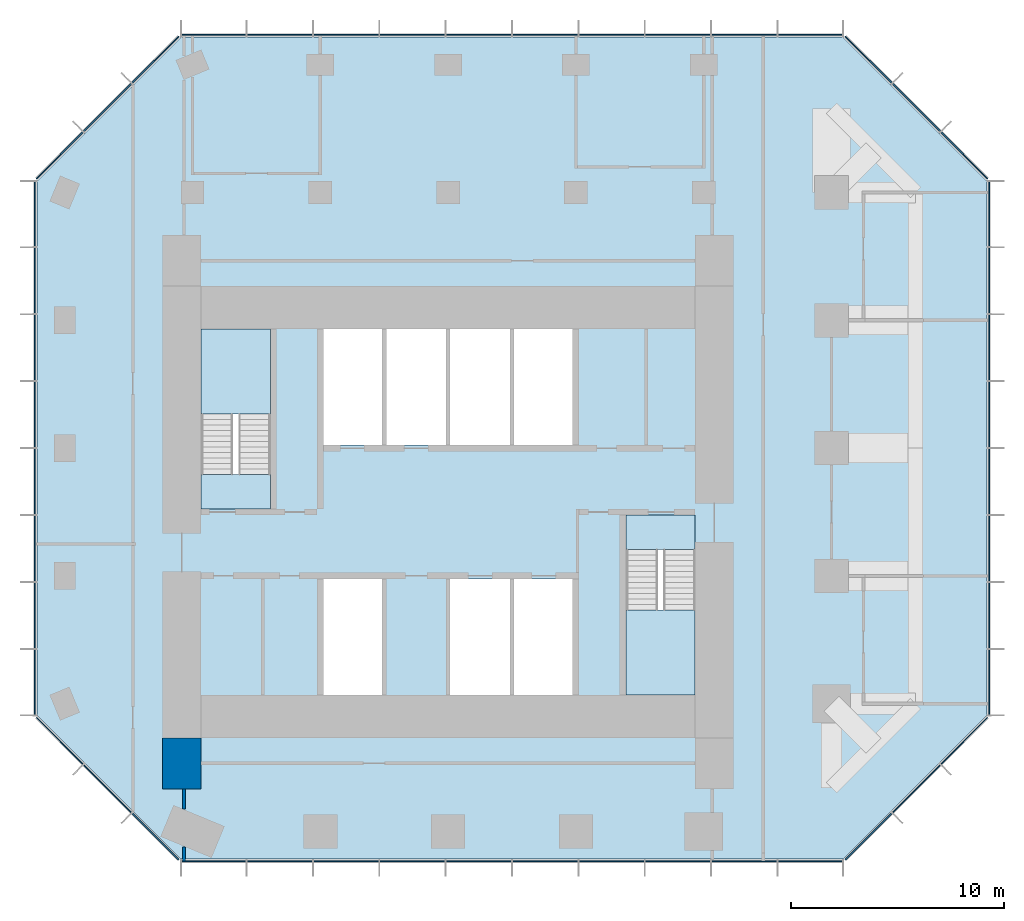
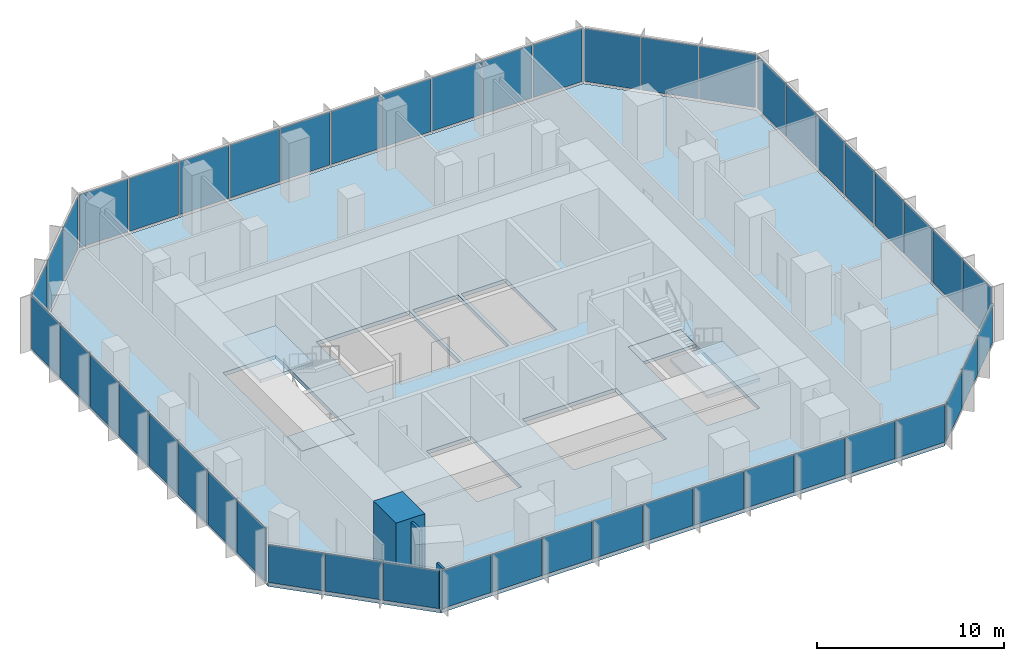
# One storey, part 7 of 10: 48 plates, 5 slabs, 3 walls, 10 elements without a shape of their own.
"""IFC4 building model written with IfcOpenShell, lengths in metres."""

from ifc_helpers import new_model, si_unit, direction, frame, frame_2d, origin, origin_2d, place, context, subcontext, project, spatial, polyline, rectangle, outline, extrude, material, layer, layer_set, type_object, element, aggregate, save


model = new_model("IFC4")

# Units and contexts
model_context = context("Model", 3, precision=1e-05, world=origin(), true_north=direction((0.0, 1.0)))
body_context = subcontext(model_context, "Body", "Model", "MODEL_VIEW")
ifc_project = project(units=[si_unit("LENGTHUNIT", "METRE"), si_unit("AREAUNIT", "SQUARE_METRE"), si_unit("VOLUMEUNIT", "CUBIC_METRE"), si_unit("PLANEANGLEUNIT", "RADIAN"), si_unit("MASSUNIT", "GRAM", prefix="KILO")], contexts=[model_context])

# Site, building, storey
site_placement = place(None, origin())
site = spatial("IfcSite", under=ifc_project, at=site_placement, CompositionType="ELEMENT")
building_placement = place(site_placement, origin())
building = spatial("IfcBuilding", under=site, at=building_placement, Name="Highveld Stack Headquarters", CompositionType="ELEMENT")
storey_placement = place(building_placement, frame((0.0, 0.0, 264.5)))
storey = spatial("IfcBuildingStorey", under=building, at=storey_placement, Name="L65", CompositionType="ELEMENT", Elevation=264.5)

# Curtain wall, plates
ifc_material_1 = material(Name="Aluminium bronze anodised", Category="aluminium")
ifc_layer_1 = layer(ifc_material_1, 0.199951171875)
ifc_layer_set_1 = layer_set([ifc_layer_1], Name="Aluminium bronze anodised")
curtain_wall_type = type_object("IfcCurtainWallType", Name="CW5 EXECUTIVE UNITISED CURTAIN WALL", PredefinedType="NOTDEFINED", material=ifc_layer_set_1)
curtain_wall_1_placement = place(storey_placement, origin())
curtain_wall_1 = element("IfcCurtainWall", 1, at=curtain_wall_1_placement, inside=storey, type_object=curtain_wall_type, Name="Curtain wall CW5 L65 S", PredefinedType="NOTDEFINED")
ifc_material_2 = material(Name="Glass bronze tinted triple glazed unit", Category="glass")
ifc_layer_2 = layer(ifc_material_2, 0.050048828125)
ifc_layer_set_2 = layer_set([ifc_layer_2], Name="Glass bronze tinted triple glazed unit")
plate_type = type_object("IfcPlateType", Name="CW5 PANEL BRONZE TINTED TRIPLE GLAZED UNIT", PredefinedType="CURTAIN_PANEL", material=ifc_layer_set_2)
plate_1_placement = place(storey_placement, frame((-5.005615234375, -13.39990234375, 0.10009765625), z_axis=(0.0, 0.0, 1.0), x_axis=(1.0, 0.0, 0.0)))
plate_1 = element("IfcPlate", 2, at=plate_1_placement, type_object=plate_type, Name="CW5 panel L65 1.1", PredefinedType="CURTAIN_PANEL", context=body_context, shape_type="SweptSolid", body=[
    extrude(rectangle(XDim=3.0185546875, YDim=0.050048828125, at=origin_2d()), origin(), (0.0, 0.0, 1.0), 2.449951171875),
])
plate_2_placement = place(storey_placement, frame((-1.906005859375, -13.39990234375, 0.10009765625), z_axis=(0.0, 0.0, 1.0), x_axis=(1.0, 0.0, 0.0)))
plate_2 = element("IfcPlate", 3, at=plate_2_placement, type_object=plate_type, Name="CW5 panel L65 2.1", PredefinedType="CURTAIN_PANEL", context=body_context, shape_type="SweptSolid", body=[
    extrude(rectangle(XDim=3.051025390625, YDim=0.050048828125, at=origin_2d()), origin(), (0.0, 0.0, 1.0), 2.449951171875),
])
plate_3_placement = place(storey_placement, frame((1.2099609375, -13.39990234375, 0.10009765625), z_axis=(0.0, 0.0, 1.0), x_axis=(1.0, 0.0, 0.0)))
plate_3 = element("IfcPlate", 4, at=plate_3_placement, type_object=plate_type, Name="CW5 panel L65 3.1", PredefinedType="CURTAIN_PANEL", context=body_context, shape_type="SweptSolid", body=[
    extrude(rectangle(XDim=3.051025390625, YDim=0.050048828125, at=origin_2d()), origin(), (0.0, 0.0, 1.0), 2.449951171875),
])
plate_4_placement = place(storey_placement, frame((4.325927734375, -13.39990234375, 0.10009765625), z_axis=(0.0, 0.0, 1.0), x_axis=(1.0, 0.0, 0.0)))
plate_4 = element("IfcPlate", 5, at=plate_4_placement, type_object=plate_type, Name="CW5 panel L65 4.1", PredefinedType="CURTAIN_PANEL", context=body_context, shape_type="SweptSolid", body=[
    extrude(rectangle(XDim=3.051025390625, YDim=0.050048828125, at=origin_2d()), origin(), (0.0, 0.0, 1.0), 2.449951171875),
])
plate_5_placement = place(storey_placement, frame((7.44189453125, -13.39990234375, 0.10009765625), z_axis=(0.0, 0.0, 1.0), x_axis=(1.0, 0.0, 0.0)))
plate_5 = element("IfcPlate", 6, at=plate_5_placement, type_object=plate_type, Name="CW5 panel L65 5.1", PredefinedType="CURTAIN_PANEL", context=body_context, shape_type="SweptSolid", body=[
    extrude(rectangle(XDim=3.051025390625, YDim=0.050048828125, at=origin_2d()), origin(), (0.0, 0.0, 1.0), 2.449951171875),
])
plate_6_placement = place(storey_placement, frame((10.55810546875, -13.39990234375, 0.10009765625), z_axis=(0.0, 0.0, 1.0), x_axis=(1.0, 0.0, 0.0)))
plate_6 = element("IfcPlate", 7, at=plate_6_placement, type_object=plate_type, Name="CW5 panel L65 6.1", PredefinedType="CURTAIN_PANEL", context=body_context, shape_type="SweptSolid", body=[
    extrude(rectangle(XDim=3.051025390625, YDim=0.050048828125, at=origin_2d()), origin(), (0.0, 0.0, 1.0), 2.449951171875),
])
plate_7_placement = place(storey_placement, frame((13.674072265625, -13.39990234375, 0.10009765625), z_axis=(0.0, 0.0, 1.0), x_axis=(1.0, 0.0, 0.0)))
plate_7 = element("IfcPlate", 8, at=plate_7_placement, type_object=plate_type, Name="CW5 panel L65 7.1", PredefinedType="CURTAIN_PANEL", context=body_context, shape_type="SweptSolid", body=[
    extrude(rectangle(XDim=3.051025390625, YDim=0.050048828125, at=origin_2d()), origin(), (0.0, 0.0, 1.0), 2.449951171875),
])
plate_8_placement = place(storey_placement, frame((16.789794921875, -13.39990234375, 0.10009765625), z_axis=(0.0, 0.0, 1.0), x_axis=(1.0, 0.0, 0.0)))
plate_8 = element("IfcPlate", 9, at=plate_8_placement, type_object=plate_type, Name="CW5 panel L65 8.1", PredefinedType="CURTAIN_PANEL", context=body_context, shape_type="SweptSolid", body=[
    extrude(rectangle(XDim=3.051025390625, YDim=0.050048828125, at=origin_2d()), origin(), (0.0, 0.0, 1.0), 2.449951171875),
])
plate_9_placement = place(storey_placement, frame((19.906005859375, -13.39990234375, 0.10009765625), z_axis=(0.0, 0.0, 1.0), x_axis=(1.0, 0.0, 0.0)))
plate_9 = element("IfcPlate", 10, at=plate_9_placement, type_object=plate_type, Name="CW5 panel L65 9.1", PredefinedType="CURTAIN_PANEL", context=body_context, shape_type="SweptSolid", body=[
    extrude(rectangle(XDim=3.051025390625, YDim=0.050048828125, at=origin_2d()), origin(), (0.0, 0.0, 1.0), 2.449951171875),
])
plate_10_placement = place(storey_placement, frame((23.005615234375, -13.39990234375, 0.10009765625), z_axis=(0.0, 0.0, 1.0), x_axis=(1.0, 0.0, 0.0)))
plate_10 = element("IfcPlate", 11, at=plate_10_placement, type_object=plate_type, Name="CW5 panel L65 10.1", PredefinedType="CURTAIN_PANEL", context=body_context, shape_type="SweptSolid", body=[
    extrude(rectangle(XDim=3.0185546875, YDim=0.050048828125, at=origin_2d()), origin(), (0.0, 0.0, 1.0), 2.449951171875),
])
aggregate(curtain_wall_1, [plate_1, plate_2, plate_3, plate_4, plate_5, plate_6, plate_7, plate_8, plate_9, plate_10])

curtain_wall_2_placement = place(storey_placement, origin())
curtain_wall_2 = element("IfcCurtainWall", 12, at=curtain_wall_2_placement, inside=storey, type_object=curtain_wall_type, Name="Curtain wall CW5 L65 SE", PredefinedType="NOTDEFINED")
plate_11_placement = place(storey_placement, frame((25.740478515625, -12.239501953125, 0.10009765625), z_axis=(0.0, 0.0, 1.0), x_axis=(0.707106781187, 0.707106781187, 0.0)))
plate_11 = element("IfcPlate", 13, at=plate_11_placement, type_object=plate_type, Name="CW5 panel L65 1.1", PredefinedType="CURTAIN_PANEL", context=body_context, shape_type="SweptSolid", body=[
    extrude(rectangle(XDim=3.08251953125, YDim=0.050048828125, at=origin_2d()), origin(), (0.0, 0.0, 1.0), 2.449951171875),
])
plate_12_placement = place(storey_placement, frame((27.989990234375, -9.989990234375, 0.10009765625), z_axis=(0.0, 0.0, 1.0), x_axis=(0.707106781187, 0.707106781187, 0.0)))
plate_12 = element("IfcPlate", 14, at=plate_12_placement, type_object=plate_type, Name="CW5 panel L65 2.1", PredefinedType="CURTAIN_PANEL", context=body_context, shape_type="SweptSolid", body=[
    extrude(rectangle(XDim=3.14990234375, YDim=0.050048828125, at=origin_2d()), origin(), (0.0, 0.0, 1.0), 2.449951171875),
])
plate_13_placement = place(storey_placement, frame((30.239501953125, -7.740478515625, 0.10009765625), z_axis=(0.0, 0.0, 1.0), x_axis=(0.707106781187, 0.707106781187, 0.0)))
plate_13 = element("IfcPlate", 15, at=plate_13_placement, type_object=plate_type, Name="CW5 panel L65 3.1", PredefinedType="CURTAIN_PANEL", context=body_context, shape_type="SweptSolid", body=[
    extrude(rectangle(XDim=3.08251953125, YDim=0.050048828125, at=origin_2d()), origin(), (0.0, 0.0, 1.0), 2.449951171875),
])
aggregate(curtain_wall_2, [plate_11, plate_12, plate_13])

curtain_wall_3_placement = place(storey_placement, origin())
curtain_wall_3 = element("IfcCurtainWall", 16, at=curtain_wall_3_placement, inside=storey, type_object=curtain_wall_type, Name="Curtain wall CW5 L65 E", PredefinedType="NOTDEFINED")
plate_14_placement = place(storey_placement, frame((31.39990234375, -4.9912109375, 0.10009765625), z_axis=(0.0, 0.0, 1.0), x_axis=(0.0, 1.0, 0.0)))
plate_14 = element("IfcPlate", 17, at=plate_14_placement, type_object=plate_type, Name="CW5 panel L65 1.1", PredefinedType="CURTAIN_PANEL", context=body_context, shape_type="SweptSolid", body=[
    extrude(rectangle(XDim=3.047607421875, YDim=0.050048828125, at=origin_2d()), origin(), (0.0, 0.0, 1.0), 3.449951171875),
])
plate_15_placement = place(storey_placement, frame((31.39990234375, -1.8623046875, 0.10009765625), z_axis=(0.0, 0.0, 1.0), x_axis=(0.0, 1.0, 0.0)))
plate_15 = element("IfcPlate", 18, at=plate_15_placement, type_object=plate_type, Name="CW5 panel L65 2.1", PredefinedType="CURTAIN_PANEL", context=body_context, shape_type="SweptSolid", body=[
    extrude(rectangle(XDim=3.080078125, YDim=0.050048828125, at=origin_2d()), origin(), (0.0, 0.0, 1.0), 3.449951171875),
])
plate_16_placement = place(storey_placement, frame((31.39990234375, 1.282470703125, 0.10009765625), z_axis=(0.0, 0.0, 1.0), x_axis=(0.0, 1.0, 0.0)))
plate_16 = element("IfcPlate", 19, at=plate_16_placement, type_object=plate_type, Name="CW5 panel L65 3.1", PredefinedType="CURTAIN_PANEL", context=body_context, shape_type="SweptSolid", body=[
    extrude(rectangle(XDim=3.080078125, YDim=0.050048828125, at=origin_2d()), origin(), (0.0, 0.0, 1.0), 3.449951171875),
])
plate_17_placement = place(storey_placement, frame((31.39990234375, 4.427490234375, 0.10009765625), z_axis=(0.0, 0.0, 1.0), x_axis=(0.0, 1.0, 0.0)))
plate_17 = element("IfcPlate", 20, at=plate_17_placement, type_object=plate_type, Name="CW5 panel L65 4.1", PredefinedType="CURTAIN_PANEL", context=body_context, shape_type="SweptSolid", body=[
    extrude(rectangle(XDim=3.080078125, YDim=0.050048828125, at=origin_2d()), origin(), (0.0, 0.0, 1.0), 3.449951171875),
])
plate_18_placement = place(storey_placement, frame((31.39990234375, 7.572509765625, 0.10009765625), z_axis=(0.0, 0.0, 1.0), x_axis=(0.0, 1.0, 0.0)))
plate_18 = element("IfcPlate", 21, at=plate_18_placement, type_object=plate_type, Name="CW5 panel L65 5.1", PredefinedType="CURTAIN_PANEL", context=body_context, shape_type="SweptSolid", body=[
    extrude(rectangle(XDim=3.080078125, YDim=0.050048828125, at=origin_2d()), origin(), (0.0, 0.0, 1.0), 3.449951171875),
])
plate_19_placement = place(storey_placement, frame((31.39990234375, 10.717529296875, 0.10009765625), z_axis=(0.0, 0.0, 1.0), x_axis=(0.0, 1.0, 0.0)))
plate_19 = element("IfcPlate", 22, at=plate_19_placement, type_object=plate_type, Name="CW5 panel L65 6.1", PredefinedType="CURTAIN_PANEL", context=body_context, shape_type="SweptSolid", body=[
    extrude(rectangle(XDim=3.080078125, YDim=0.050048828125, at=origin_2d()), origin(), (0.0, 0.0, 1.0), 3.449951171875),
])
plate_20_placement = place(storey_placement, frame((31.39990234375, 13.8623046875, 0.10009765625), z_axis=(0.0, 0.0, 1.0), x_axis=(0.0, 1.0, 0.0)))
plate_20 = element("IfcPlate", 23, at=plate_20_placement, type_object=plate_type, Name="CW5 panel L65 7.1", PredefinedType="CURTAIN_PANEL", context=body_context, shape_type="SweptSolid", body=[
    extrude(rectangle(XDim=3.080078125, YDim=0.050048828125, at=origin_2d()), origin(), (0.0, 0.0, 1.0), 3.449951171875),
])
plate_21_placement = place(storey_placement, frame((31.39990234375, 16.9912109375, 0.10009765625), z_axis=(0.0, 0.0, 1.0), x_axis=(0.0, 1.0, 0.0)))
plate_21 = element("IfcPlate", 24, at=plate_21_placement, type_object=plate_type, Name="CW5 panel L65 8.1", PredefinedType="CURTAIN_PANEL", context=body_context, shape_type="SweptSolid", body=[
    extrude(rectangle(XDim=3.047607421875, YDim=0.050048828125, at=origin_2d()), origin(), (0.0, 0.0, 1.0), 3.449951171875),
])
aggregate(curtain_wall_3, [plate_14, plate_15, plate_16, plate_17, plate_18, plate_19, plate_20, plate_21])

curtain_wall_4_placement = place(storey_placement, origin())
curtain_wall_4 = element("IfcCurtainWall", 25, at=curtain_wall_4_placement, inside=storey, type_object=curtain_wall_type, Name="Curtain wall CW5 L65 NE", PredefinedType="NOTDEFINED")
plate_22_placement = place(storey_placement, frame((30.239501953125, 19.740478515625, 0.10009765625), z_axis=(0.0, 0.0, 1.0), x_axis=(-0.707106781187, 0.707106781187, 0.0)))
plate_22 = element("IfcPlate", 26, at=plate_22_placement, type_object=plate_type, Name="CW5 panel L65 1.1", PredefinedType="CURTAIN_PANEL", context=body_context, shape_type="SweptSolid", body=[
    extrude(rectangle(XDim=3.08251953125, YDim=0.050048828125, at=origin_2d()), origin(), (0.0, 0.0, 1.0), 3.449951171875),
])
plate_23_placement = place(storey_placement, frame((27.989990234375, 21.989990234375, 0.10009765625), z_axis=(0.0, 0.0, 1.0), x_axis=(-0.707106781187, 0.707106781187, 0.0)))
plate_23 = element("IfcPlate", 27, at=plate_23_placement, type_object=plate_type, Name="CW5 panel L65 2.1", PredefinedType="CURTAIN_PANEL", context=body_context, shape_type="SweptSolid", body=[
    extrude(rectangle(XDim=3.14990234375, YDim=0.050048828125, at=origin_2d()), origin(), (0.0, 0.0, 1.0), 3.449951171875),
])
plate_24_placement = place(storey_placement, frame((25.740478515625, 24.239501953125, 0.10009765625), z_axis=(0.0, 0.0, 1.0), x_axis=(-0.707106781187, 0.707106781187, 0.0)))
plate_24 = element("IfcPlate", 28, at=plate_24_placement, type_object=plate_type, Name="CW5 panel L65 3.1", PredefinedType="CURTAIN_PANEL", context=body_context, shape_type="SweptSolid", body=[
    extrude(rectangle(XDim=3.08251953125, YDim=0.050048828125, at=origin_2d()), origin(), (0.0, 0.0, 1.0), 3.449951171875),
])
aggregate(curtain_wall_4, [plate_22, plate_23, plate_24])

curtain_wall_5_placement = place(storey_placement, origin())
curtain_wall_5 = element("IfcCurtainWall", 29, at=curtain_wall_5_placement, inside=storey, type_object=curtain_wall_type, Name="Curtain wall CW5 L65 N", PredefinedType="NOTDEFINED")
plate_25_placement = place(storey_placement, frame((23.005615234375, 25.39990234375, 0.10009765625), z_axis=(0.0, 0.0, 1.0), x_axis=(-1.0, 0.0, 0.0)))
plate_25 = element("IfcPlate", 30, at=plate_25_placement, type_object=plate_type, Name="CW5 panel L65 1.1", PredefinedType="CURTAIN_PANEL", context=body_context, shape_type="SweptSolid", body=[
    extrude(rectangle(XDim=3.0185546875, YDim=0.050048828125, at=origin_2d()), origin(), (0.0, 0.0, 1.0), 3.449951171875),
])
plate_26_placement = place(storey_placement, frame((19.906005859375, 25.39990234375, 0.10009765625), z_axis=(0.0, 0.0, 1.0), x_axis=(-1.0, 0.0, 0.0)))
plate_26 = element("IfcPlate", 31, at=plate_26_placement, type_object=plate_type, Name="CW5 panel L65 2.1", PredefinedType="CURTAIN_PANEL", context=body_context, shape_type="SweptSolid", body=[
    extrude(rectangle(XDim=3.051025390625, YDim=0.050048828125, at=origin_2d()), origin(), (0.0, 0.0, 1.0), 3.449951171875),
])
plate_27_placement = place(storey_placement, frame((16.7900390625, 25.39990234375, 0.10009765625), z_axis=(0.0, 0.0, 1.0), x_axis=(-1.0, 0.0, 0.0)))
plate_27 = element("IfcPlate", 32, at=plate_27_placement, type_object=plate_type, Name="CW5 panel L65 3.1", PredefinedType="CURTAIN_PANEL", context=body_context, shape_type="SweptSolid", body=[
    extrude(rectangle(XDim=3.051025390625, YDim=0.050048828125, at=origin_2d()), origin(), (0.0, 0.0, 1.0), 3.449951171875),
])
plate_28_placement = place(storey_placement, frame((13.674072265625, 25.39990234375, 0.10009765625), z_axis=(0.0, 0.0, 1.0), x_axis=(-1.0, 0.0, 0.0)))
plate_28 = element("IfcPlate", 33, at=plate_28_placement, type_object=plate_type, Name="CW5 panel L65 4.1", PredefinedType="CURTAIN_PANEL", context=body_context, shape_type="SweptSolid", body=[
    extrude(rectangle(XDim=3.051025390625, YDim=0.050048828125, at=origin_2d()), origin(), (0.0, 0.0, 1.0), 3.449951171875),
])
plate_29_placement = place(storey_placement, frame((10.55810546875, 25.39990234375, 0.10009765625), z_axis=(0.0, 0.0, 1.0), x_axis=(-1.0, 0.0, 0.0)))
plate_29 = element("IfcPlate", 34, at=plate_29_placement, type_object=plate_type, Name="CW5 panel L65 5.1", PredefinedType="CURTAIN_PANEL", context=body_context, shape_type="SweptSolid", body=[
    extrude(rectangle(XDim=3.051025390625, YDim=0.050048828125, at=origin_2d()), origin(), (0.0, 0.0, 1.0), 3.449951171875),
])
plate_30_placement = place(storey_placement, frame((7.44189453125, 25.39990234375, 0.10009765625), z_axis=(0.0, 0.0, 1.0), x_axis=(-1.0, 0.0, 0.0)))
plate_30 = element("IfcPlate", 35, at=plate_30_placement, type_object=plate_type, Name="CW5 panel L65 6.1", PredefinedType="CURTAIN_PANEL", context=body_context, shape_type="SweptSolid", body=[
    extrude(rectangle(XDim=3.051025390625, YDim=0.050048828125, at=origin_2d()), origin(), (0.0, 0.0, 1.0), 3.449951171875),
])
plate_31_placement = place(storey_placement, frame((4.325927734375, 25.39990234375, 0.10009765625), z_axis=(0.0, 0.0, 1.0), x_axis=(-1.0, 0.0, 0.0)))
plate_31 = element("IfcPlate", 36, at=plate_31_placement, type_object=plate_type, Name="CW5 panel L65 7.1", PredefinedType="CURTAIN_PANEL", context=body_context, shape_type="SweptSolid", body=[
    extrude(rectangle(XDim=3.051025390625, YDim=0.050048828125, at=origin_2d()), origin(), (0.0, 0.0, 1.0), 3.449951171875),
])
plate_32_placement = place(storey_placement, frame((1.210205078125, 25.39990234375, 0.10009765625), z_axis=(0.0, 0.0, 1.0), x_axis=(-1.0, 0.0, 0.0)))
plate_32 = element("IfcPlate", 37, at=plate_32_placement, type_object=plate_type, Name="CW5 panel L65 8.1", PredefinedType="CURTAIN_PANEL", context=body_context, shape_type="SweptSolid", body=[
    extrude(rectangle(XDim=3.051025390625, YDim=0.050048828125, at=origin_2d()), origin(), (0.0, 0.0, 1.0), 3.449951171875),
])
plate_33_placement = place(storey_placement, frame((-1.906005859375, 25.39990234375, 0.10009765625), z_axis=(0.0, 0.0, 1.0), x_axis=(-1.0, 0.0, 0.0)))
plate_33 = element("IfcPlate", 38, at=plate_33_placement, type_object=plate_type, Name="CW5 panel L65 9.1", PredefinedType="CURTAIN_PANEL", context=body_context, shape_type="SweptSolid", body=[
    extrude(rectangle(XDim=3.051025390625, YDim=0.050048828125, at=origin_2d()), origin(), (0.0, 0.0, 1.0), 3.449951171875),
])
plate_34_placement = place(storey_placement, frame((-5.005615234375, 25.39990234375, 0.10009765625), z_axis=(0.0, 0.0, 1.0), x_axis=(-1.0, 0.0, 0.0)))
plate_34 = element("IfcPlate", 39, at=plate_34_placement, type_object=plate_type, Name="CW5 panel L65 10.1", PredefinedType="CURTAIN_PANEL", context=body_context, shape_type="SweptSolid", body=[
    extrude(rectangle(XDim=3.0185546875, YDim=0.050048828125, at=origin_2d()), origin(), (0.0, 0.0, 1.0), 3.449951171875),
])
aggregate(curtain_wall_5, [plate_25, plate_26, plate_27, plate_28, plate_29, plate_30, plate_31, plate_32, plate_33, plate_34])

curtain_wall_6_placement = place(storey_placement, origin())
curtain_wall_6 = element("IfcCurtainWall", 40, at=curtain_wall_6_placement, inside=storey, type_object=curtain_wall_type, Name="Curtain wall CW5 L65 NW", PredefinedType="NOTDEFINED")
plate_35_placement = place(storey_placement, frame((-7.740478515625, 24.239501953125, 0.10009765625), z_axis=(0.0, 0.0, 1.0), x_axis=(-0.707106781187, -0.707106781187, 0.0)))
plate_35 = element("IfcPlate", 41, at=plate_35_placement, type_object=plate_type, Name="CW5 panel L65 1.1", PredefinedType="CURTAIN_PANEL", context=body_context, shape_type="SweptSolid", body=[
    extrude(rectangle(XDim=3.08251953125, YDim=0.050048828125, at=origin_2d()), origin(), (0.0, 0.0, 1.0), 3.449951171875),
])
plate_36_placement = place(storey_placement, frame((-9.989990234375, 21.989990234375, 0.10009765625), z_axis=(0.0, 0.0, 1.0), x_axis=(-0.707106781187, -0.707106781187, 0.0)))
plate_36 = element("IfcPlate", 42, at=plate_36_placement, type_object=plate_type, Name="CW5 panel L65 2.1", PredefinedType="CURTAIN_PANEL", context=body_context, shape_type="SweptSolid", body=[
    extrude(rectangle(XDim=3.14990234375, YDim=0.050048828125, at=origin_2d()), origin(), (0.0, 0.0, 1.0), 3.449951171875),
])
plate_37_placement = place(storey_placement, frame((-12.239501953125, 19.740478515625, 0.10009765625), z_axis=(0.0, 0.0, 1.0), x_axis=(-0.707106781187, -0.707106781187, 0.0)))
plate_37 = element("IfcPlate", 43, at=plate_37_placement, type_object=plate_type, Name="CW5 panel L65 3.1", PredefinedType="CURTAIN_PANEL", context=body_context, shape_type="SweptSolid", body=[
    extrude(rectangle(XDim=3.08251953125, YDim=0.050048828125, at=origin_2d()), origin(), (0.0, 0.0, 1.0), 3.449951171875),
])
aggregate(curtain_wall_6, [plate_35, plate_36, plate_37])

curtain_wall_7_placement = place(storey_placement, origin())
curtain_wall_7 = element("IfcCurtainWall", 44, at=curtain_wall_7_placement, inside=storey, type_object=curtain_wall_type, Name="Curtain wall CW5 L65 W", PredefinedType="NOTDEFINED")
plate_38_placement = place(storey_placement, frame((-13.39990234375, 16.9912109375, 0.10009765625), z_axis=(0.0, 0.0, 1.0), x_axis=(0.0, -1.0, 0.0)))
plate_38 = element("IfcPlate", 45, at=plate_38_placement, type_object=plate_type, Name="CW5 panel L65 1.1", PredefinedType="CURTAIN_PANEL", context=body_context, shape_type="SweptSolid", body=[
    extrude(rectangle(XDim=3.047607421875, YDim=0.050048828125, at=origin_2d()), origin(), (0.0, 0.0, 1.0), 3.449951171875),
])
plate_39_placement = place(storey_placement, frame((-13.39990234375, 13.8623046875, 0.10009765625), z_axis=(0.0, 0.0, 1.0), x_axis=(0.0, -1.0, 0.0)))
plate_39 = element("IfcPlate", 46, at=plate_39_placement, type_object=plate_type, Name="CW5 panel L65 2.1", PredefinedType="CURTAIN_PANEL", context=body_context, shape_type="SweptSolid", body=[
    extrude(rectangle(XDim=3.080078125, YDim=0.050048828125, at=origin_2d()), origin(), (0.0, 0.0, 1.0), 3.449951171875),
])
plate_40_placement = place(storey_placement, frame((-13.39990234375, 10.717529296875, 0.10009765625), z_axis=(0.0, 0.0, 1.0), x_axis=(0.0, -1.0, 0.0)))
plate_40 = element("IfcPlate", 47, at=plate_40_placement, type_object=plate_type, Name="CW5 panel L65 3.1", PredefinedType="CURTAIN_PANEL", context=body_context, shape_type="SweptSolid", body=[
    extrude(rectangle(XDim=3.080078125, YDim=0.050048828125, at=origin_2d()), origin(), (0.0, 0.0, 1.0), 3.449951171875),
])
plate_41_placement = place(storey_placement, frame((-13.39990234375, 7.572509765625, 0.10009765625), z_axis=(0.0, 0.0, 1.0), x_axis=(0.0, -1.0, 0.0)))
plate_41 = element("IfcPlate", 48, at=plate_41_placement, type_object=plate_type, Name="CW5 panel L65 4.1", PredefinedType="CURTAIN_PANEL", context=body_context, shape_type="SweptSolid", body=[
    extrude(rectangle(XDim=3.080078125, YDim=0.050048828125, at=origin_2d()), origin(), (0.0, 0.0, 1.0), 3.449951171875),
])
plate_42_placement = place(storey_placement, frame((-13.39990234375, 4.427490234375, 0.10009765625), z_axis=(0.0, 0.0, 1.0), x_axis=(0.0, -1.0, 0.0)))
plate_42 = element("IfcPlate", 49, at=plate_42_placement, type_object=plate_type, Name="CW5 panel L65 5.1", PredefinedType="CURTAIN_PANEL", context=body_context, shape_type="SweptSolid", body=[
    extrude(rectangle(XDim=3.080078125, YDim=0.050048828125, at=origin_2d()), origin(), (0.0, 0.0, 1.0), 3.449951171875),
])
plate_43_placement = place(storey_placement, frame((-13.39990234375, 1.282470703125, 0.10009765625), z_axis=(0.0, 0.0, 1.0), x_axis=(0.0, -1.0, 0.0)))
plate_43 = element("IfcPlate", 50, at=plate_43_placement, type_object=plate_type, Name="CW5 panel L65 6.1", PredefinedType="CURTAIN_PANEL", context=body_context, shape_type="SweptSolid", body=[
    extrude(rectangle(XDim=3.080078125, YDim=0.050048828125, at=origin_2d()), origin(), (0.0, 0.0, 1.0), 3.449951171875),
])
plate_44_placement = place(storey_placement, frame((-13.39990234375, -1.8623046875, 0.10009765625), z_axis=(0.0, 0.0, 1.0), x_axis=(0.0, -1.0, 0.0)))
plate_44 = element("IfcPlate", 51, at=plate_44_placement, type_object=plate_type, Name="CW5 panel L65 7.1", PredefinedType="CURTAIN_PANEL", context=body_context, shape_type="SweptSolid", body=[
    extrude(rectangle(XDim=3.080078125, YDim=0.050048828125, at=origin_2d()), origin(), (0.0, 0.0, 1.0), 3.449951171875),
])
plate_45_placement = place(storey_placement, frame((-13.39990234375, -4.9912109375, 0.10009765625), z_axis=(0.0, 0.0, 1.0), x_axis=(0.0, -1.0, 0.0)))
plate_45 = element("IfcPlate", 52, at=plate_45_placement, type_object=plate_type, Name="CW5 panel L65 8.1", PredefinedType="CURTAIN_PANEL", context=body_context, shape_type="SweptSolid", body=[
    extrude(rectangle(XDim=3.047607421875, YDim=0.050048828125, at=origin_2d()), origin(), (0.0, 0.0, 1.0), 3.449951171875),
])
aggregate(curtain_wall_7, [plate_38, plate_39, plate_40, plate_41, plate_42, plate_43, plate_44, plate_45])

curtain_wall_8_placement = place(storey_placement, origin())
curtain_wall_8 = element("IfcCurtainWall", 53, at=curtain_wall_8_placement, inside=storey, type_object=curtain_wall_type, Name="Curtain wall CW5 L65 SW", PredefinedType="NOTDEFINED")
plate_46_placement = place(storey_placement, frame((-12.239501953125, -7.740478515625, 0.10009765625), z_axis=(0.0, 0.0, 1.0), x_axis=(0.707106781187, -0.707106781187, 0.0)))
plate_46 = element("IfcPlate", 54, at=plate_46_placement, type_object=plate_type, Name="CW5 panel L65 1.1", PredefinedType="CURTAIN_PANEL", context=body_context, shape_type="SweptSolid", body=[
    extrude(rectangle(XDim=3.08251953125, YDim=0.050048828125, at=origin_2d()), origin(), (0.0, 0.0, 1.0), 2.449951171875),
])
plate_47_placement = place(storey_placement, frame((-9.989990234375, -9.989990234375, 0.10009765625), z_axis=(0.0, 0.0, 1.0), x_axis=(0.707106781187, -0.707106781187, 0.0)))
plate_47 = element("IfcPlate", 55, at=plate_47_placement, type_object=plate_type, Name="CW5 panel L65 2.1", PredefinedType="CURTAIN_PANEL", context=body_context, shape_type="SweptSolid", body=[
    extrude(rectangle(XDim=3.14990234375, YDim=0.050048828125, at=origin_2d()), origin(), (0.0, 0.0, 1.0), 2.449951171875),
])
plate_48_placement = place(storey_placement, frame((-7.740478515625, -12.239501953125, 0.10009765625), z_axis=(0.0, 0.0, 1.0), x_axis=(0.707106781187, -0.707106781187, 0.0)))
plate_48 = element("IfcPlate", 56, at=plate_48_placement, type_object=plate_type, Name="CW5 panel L65 3.1", PredefinedType="CURTAIN_PANEL", context=body_context, shape_type="SweptSolid", body=[
    extrude(rectangle(XDim=3.08251953125, YDim=0.050048828125, at=origin_2d()), origin(), (0.0, 0.0, 1.0), 2.449951171875),
])
aggregate(curtain_wall_8, [plate_46, plate_47, plate_48])

# Slab
ifc_material_3 = material(Name="Concrete C60/75", Category="concrete")
ifc_layer_3 = layer(ifc_material_3, 0.25)
ifc_layer_set_3 = layer_set([ifc_layer_3], Name="Concrete C60/75")
slab_type_1 = type_object("IfcSlabType", Name="PT FLAT SLAB 250", PredefinedType="FLOOR", material=ifc_layer_set_3)
slab_1_placement = place(storey_placement, frame((0.0, 0.0, -0.25)))
element("IfcSlab", 57, at=slab_1_placement, inside=storey, type_object=slab_type_1, Name="Floor slab L65", PredefinedType="FLOOR", context=body_context, shape_type="SweptSolid", body=[
    extrude(outline(polyline([(-6.53857421875, -13.300048828125), (24.53857421875, -13.300048828125), (31.300048828125, -6.53857421875), (31.300048828125, 18.53857421875), (24.53857421875, 25.300048828125), (-6.53857421875, 25.300048828125), (-13.300048828125, 18.53857421875), (-13.300048828125, -6.53857421875), (-6.53857421875, -13.300048828125)]), holes=[polyline([(0.14990234375, 6.14990234375), (5.89990234375, 6.14990234375), (5.89990234375, 11.60009765625), (0.14990234375, 11.60009765625), (0.14990234375, 6.14990234375)]), polyline([(9.10009765625, 6.14990234375), (11.85009765625, 6.14990234375), (11.85009765625, 11.60009765625), (9.10009765625, 11.60009765625), (9.10009765625, 6.14990234375)]), polyline([(6.10009765625, 6.14990234375), (8.89990234375, 6.14990234375), (8.89990234375, 11.60009765625), (6.10009765625, 11.60009765625), (6.10009765625, 6.14990234375)]), polyline([(6.10009765625, -5.60009765625), (11.85009765625, -5.60009765625), (11.85009765625, -0.14990234375), (6.10009765625, -0.14990234375), (6.10009765625, -5.60009765625)]), polyline([(0.14990234375, -5.60009765625), (2.89990234375, -5.60009765625), (2.89990234375, -0.14990234375), (0.14990234375, -0.14990234375), (0.14990234375, -5.60009765625)]), polyline([(-5.60009765625, 3.14990234375), (-2.35009765625, 3.14990234375), (-2.35009765625, 11.60009765625), (-5.60009765625, 11.60009765625), (-5.60009765625, 3.14990234375)]), polyline([(14.35009765625, -5.60009765625), (17.60009765625, -5.60009765625), (17.60009765625, 2.85009765625), (14.35009765625, 2.85009765625), (14.35009765625, -5.60009765625)])]), origin(), (0.0, 0.0, 1.0), 0.25),
])

# Stair, slabs
ifc_material_4 = material(Name="Concrete C40/50, precast", Category="concrete")
stair_type_1 = type_object("IfcStairType", Name="STAIR S1 HALF TURN 1500", PredefinedType="HALF_TURN_STAIR", material=ifc_material_4)
stair_1_placement = place(storey_placement, origin())
stair_1 = element("IfcStair", 58, at=stair_1_placement, inside=storey, type_object=stair_type_1, Name="Stair S1 L65", PredefinedType="HALF_TURN_STAIR")
ifc_material_5 = material(Name="Concrete C40/50, precast", Category="concrete")
ifc_layer_4 = layer(ifc_material_5, 0.199951171875)
ifc_layer_set_4 = layer_set([ifc_layer_4], Name="Concrete C40/50, precast")
slab_type_2 = type_object("IfcSlabType", Name="STAIR LANDING 200", PredefinedType="LANDING", material=ifc_layer_set_4)
slab_2_placement = place(storey_placement, frame((0.0, 0.0, 1.75)))
slab_2 = element("IfcSlab", 59, at=slab_2_placement, type_object=slab_type_2, Name="S1 landing 1", PredefinedType="LANDING", context=body_context, shape_type="SweptSolid", body=[
    extrude(outline(polyline([(-5.60009765625, 7.610107421875), (-2.35009765625, 7.610107421875), (-2.35009765625, 11.60009765625), (-5.60009765625, 11.60009765625), (-5.60009765625, 7.610107421875)])), origin(), (0.0, 0.0, 1.0), 0.199951171875),
])
slab_3_placement = place(storey_placement, frame((0.0, 0.0, -0.199951171875)))
slab_3 = element("IfcSlab", 60, at=slab_3_placement, type_object=slab_type_2, Name="S1 landing 2", PredefinedType="LANDING", context=body_context, shape_type="SweptSolid", body=[
    extrude(outline(polyline([(-5.60009765625, 3.14990234375), (-2.35009765625, 3.14990234375), (-2.35009765625, 4.75), (-5.60009765625, 4.75), (-5.60009765625, 3.14990234375)])), origin(), (0.0, 0.0, 1.0), 0.199951171875),
])
aggregate(stair_1, [slab_2, slab_3])

ifc_material_6 = material(Name="Concrete C40/50, precast", Category="concrete")
stair_type_2 = type_object("IfcStairType", Name="STAIR S2 HALF TURN 1500", PredefinedType="HALF_TURN_STAIR", material=ifc_material_6)
stair_2_placement = place(storey_placement, origin())
stair_2 = element("IfcStair", 61, at=stair_2_placement, inside=storey, type_object=stair_type_2, Name="Stair S2 L65", PredefinedType="HALF_TURN_STAIR")
slab_4_placement = place(storey_placement, frame((0.0, 0.0, 1.75)))
slab_4 = element("IfcSlab", 62, at=slab_4_placement, type_object=slab_type_2, Name="S2 landing 1", PredefinedType="LANDING", context=body_context, shape_type="SweptSolid", body=[
    extrude(outline(polyline([(14.35009765625, -5.60009765625), (17.60009765625, -5.60009765625), (17.60009765625, -1.610107421875), (14.35009765625, -1.610107421875), (14.35009765625, -5.60009765625)])), origin(), (0.0, 0.0, 1.0), 0.199951171875),
])
slab_5_placement = place(storey_placement, frame((0.0, 0.0, -0.199951171875)))
slab_5 = element("IfcSlab", 63, at=slab_5_placement, type_object=slab_type_2, Name="S2 landing 2", PredefinedType="LANDING", context=body_context, shape_type="SweptSolid", body=[
    extrude(outline(polyline([(14.35009765625, 1.25), (17.60009765625, 1.25), (17.60009765625, 2.85009765625), (14.35009765625, 2.85009765625), (14.35009765625, 1.25)])), origin(), (0.0, 0.0, 1.0), 0.199951171875),
])
aggregate(stair_2, [slab_4, slab_5])

# Walls
ifc_material_7 = material(Name="Concrete C60/75", Category="concrete")
ifc_layer_5 = layer(ifc_material_7, 1.800048828125)
ifc_layer_set_5 = layer_set([ifc_layer_5], Name="Concrete C60/75")
wall_type_1 = type_object("IfcWallType", Name="CORE WING WALL 1800 C60/75", PredefinedType="SHEAR", material=ifc_layer_set_5)
wall_1_placement = place(storey_placement, frame((-6.5, -10.0, 0.0), z_axis=(0.0, 0.0, 1.0), x_axis=(0.0, 1.0, 0.0)))
element("IfcWall", 64, at=wall_1_placement, inside=storey, type_object=wall_type_1, Name="Core wing wall WS L65", PredefinedType="SHEAR", context=body_context, shape_type="SweptSolid", body=[
    extrude(rectangle(XDim=2.39990234375, YDim=1.800048828125, at=frame_2d((1.199951171875, 0.0))), origin(), (0.0, 0.0, 1.0), 3.89990234375),
])
ifc_material_8 = material(Name="Gypsum plasterboard on steel studs", Category="steel")
ifc_layer_6 = layer(ifc_material_8, 0.14990234375)
ifc_layer_set_6 = layer_set([ifc_layer_6], Name="Gypsum plasterboard on steel studs")
wall_type_2 = type_object("IfcWallType", Name="PARTITION 150 PLASTERBOARD", PredefinedType="PARTITIONING", material=ifc_layer_set_6)
wall_2_placement = place(storey_placement, frame((-6.39990234375, -13.375, 0.0), z_axis=(0.0, 0.0, 1.0), x_axis=(0.0, 1.0, 0.0)))
element("IfcWall", 65, at=wall_2_placement, inside=storey, type_object=wall_type_2, Name="Partition office neighbourhood L65", PredefinedType="PARTITIONING", context=body_context, shape_type="SweptSolid", body=[
    extrude(rectangle(XDim=0.643798828125, YDim=0.14990234375, at=frame_2d((0.32177734375, 0.0))), origin(), (0.0, 0.0, 1.0), 2.64990234375),
])
wall_3_placement = place(storey_placement, frame((-6.39990234375, -10.937255859375, 0.0), z_axis=(0.0, 0.0, 1.0), x_axis=(0.0, 1.0, 0.0)))
element("IfcWall", 66, at=wall_3_placement, inside=storey, type_object=wall_type_2, Name="Partition office neighbourhood L65", PredefinedType="PARTITIONING", context=body_context, shape_type="SweptSolid", body=[
    extrude(rectangle(XDim=0.937255859375, YDim=0.14990234375, at=frame_2d((0.46875, 0.0))), origin(), (0.0, 0.0, 1.0), 3.64990234375),
])

save(model, "model.ifc")
